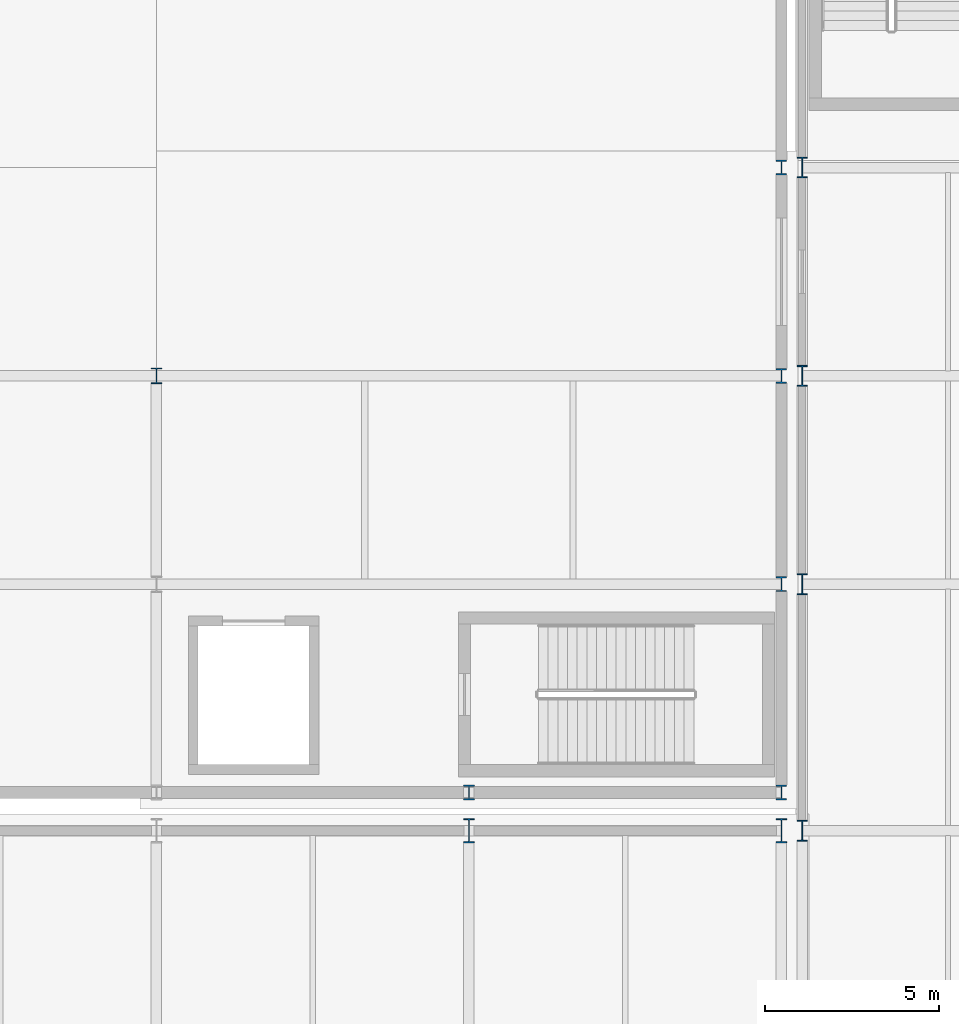
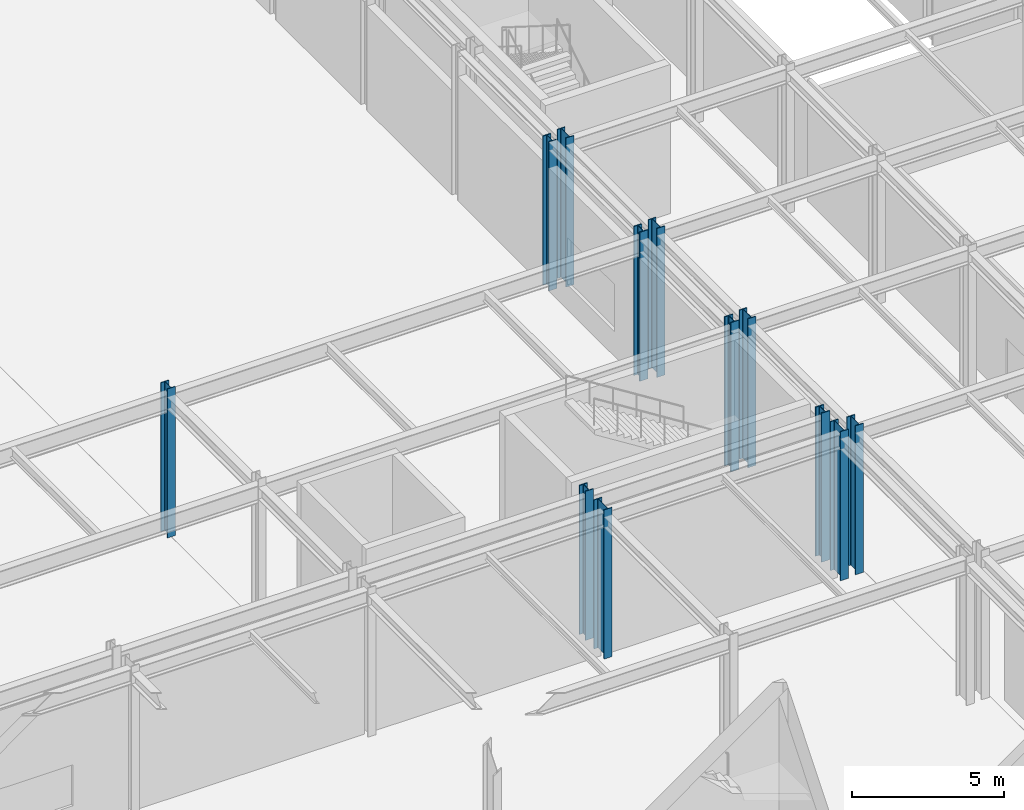
# One storey, part 8 of 146: 12 columns.
"""IFC4 building model written with IfcOpenShell, lengths in metres."""

from ifc_helpers import new_model, si_unit, direction, frame, origin, origin_2d, place, context, subcontext, project, spatial, i_section, extrude, material, material_profile, profile_set, type_object, element, save


model = new_model("IFC4")

# Units and contexts
model_context = context("Model", 3, precision=1e-05, world=origin(), true_north=direction((0.0, 1.0)))
body_context = subcontext(model_context, "Body", "Model", "MODEL_VIEW")
ifc_project = project(units=[si_unit("LENGTHUNIT", "METRE"), si_unit("AREAUNIT", "SQUARE_METRE"), si_unit("VOLUMEUNIT", "CUBIC_METRE"), si_unit("PLANEANGLEUNIT", "RADIAN"), si_unit("MASSUNIT", "GRAM", prefix="KILO")], contexts=[model_context])

# Site, building, storey
site_placement = place(None, origin())
site = spatial("IfcSite", under=ifc_project, at=site_placement, CompositionType="ELEMENT")
building_placement = place(site_placement, origin())
building = spatial("IfcBuilding", under=site, at=building_placement, Name="Kaldris Quays Convention Centre", CompositionType="ELEMENT")
storey_placement = place(building_placement, origin())
storey = spatial("IfcBuildingStorey", under=building, at=storey_placement, Name="L00", CompositionType="ELEMENT", Elevation=0.0)

# Columns
ifc_material_1 = material(Name="Steel S460ML", Category="steel")
ifc_material_profile_1 = material_profile(ifc_material_1, i_section(OverallWidth=0.306884765625, OverallDepth=0.431884765625, WebThickness=0.02099609375, FlangeThickness=0.0400390625, FilletRadius=0.027099609375, at=origin_2d()), Name="HEM 400")
ifc_profile_set_1 = profile_set([ifc_material_profile_1], Name="Steel S460ML")
column_type_1 = type_object("IfcColumnType", Name="STRUCTURAL COLUMN CL01", PredefinedType="COLUMN", material=ifc_profile_set_1)
for number, where, z_axis, x_axis, name in (
    (1, (137.0, 56.0, 0.0), (0.0, 0.0, 1.0), (1.0, 0.0, 0.0), "L00 V1 Column CL01 (137.00, 56.00)"),
    (2, (146.0, 56.0, 0.0), (0.0, 0.0, 1.0), (1.0, 0.0, 0.0), "L00 V1 Column CL01 (146.00, 56.00)"),
    (3, (146.0, 62.0, 0.0), (0.0, 0.0, 1.0), (1.0, 0.0, 0.0), "L00 V1 Column CL01 (146.00, 62.00)"),
    (4, (146.0, 68.0, 0.0), (0.0, 0.0, 1.0), (1.0, 0.0, 0.0), "L00 V1 Column CL01 (146.00, 68.00)"),
    (5, (146.0, 74.0, 0.0), (0.0, 0.0, 1.0), (1.0, 0.0, 0.0), "L00 V1 Column CL01 (146.00, 74.00)"),
):
    element("IfcColumn", number, at=place(storey_placement, frame(where, z_axis=z_axis, x_axis=x_axis)), inside=storey, type_object=column_type_1, Name=name, PredefinedType="COLUMN", context=body_context, shape_type="SweptSolid", body=[
        extrude(i_section(OverallWidth=0.306884765625, OverallDepth=0.431884765625, WebThickness=0.02099609375, FlangeThickness=0.0400390625, FilletRadius=0.027099609375, at=origin_2d()), origin(), (0.0, 0.0, 1.0), 6.0),
    ])
ifc_material_2 = material(Name="Steel S355J2", Category="steel")
ifc_material_profile_2 = material_profile(ifc_material_2, i_section(OverallWidth=0.300048828125, OverallDepth=0.699951171875, WebThickness=0.01708984375, FlangeThickness=0.031982421875, FilletRadius=0.027099609375, at=origin_2d()), Name="HEB 700")
ifc_profile_set_2 = profile_set([ifc_material_profile_2], Name="Steel S355J2")
column_type_2 = type_object("IfcColumnType", Name="STRUCTURAL COLUMN CL05", PredefinedType="COLUMN", material=ifc_profile_set_2)
for number, where, z_axis, x_axis, name in (
    (6, (137.0, 54.89990234375, 0.0), (0.0, 0.0, 1.0), (1.0, 0.0, 0.0), "L00 V4 Column CL05 (137.00, 54.90)"),
    (7, (146.0, 54.89990234375, 0.0), (0.0, 0.0, 1.0), (1.0, 0.0, 0.0), "L00 V4 Column CL05 (146.00, 54.90)"),
):
    element("IfcColumn", number, at=place(storey_placement, frame(where, z_axis=z_axis, x_axis=x_axis)), inside=storey, type_object=column_type_2, Name=name, PredefinedType="COLUMN", context=body_context, shape_type="SweptSolid", body=[
        extrude(i_section(OverallWidth=0.300048828125, OverallDepth=0.699951171875, WebThickness=0.01708984375, FlangeThickness=0.031982421875, FilletRadius=0.027099609375, at=origin_2d()), origin(), (0.0, 0.0, 1.0), 6.0),
    ])
ifc_material_profile_3 = material_profile(ifc_material_2, i_section(OverallWidth=0.300048828125, OverallDepth=0.60009765625, WebThickness=0.015380859375, FlangeThickness=0.030029296875, FilletRadius=0.027099609375, at=origin_2d()), Name="HEB 600")
ifc_profile_set_3 = profile_set([ifc_material_profile_3], Name="Steel S355J2")
column_type_3 = type_object("IfcColumnType", Name="STRUCTURAL COLUMN CL06", PredefinedType="COLUMN", material=ifc_profile_set_3)
for number, where, z_axis, x_axis, name in (
    (8, (146.60009765625, 54.89990234375, 0.0), (0.0, 0.0, 1.0), (1.0, 0.0, 0.0), "L00 V4 Column CL06 (146.60, 54.90)"),
    (9, (146.60009765625, 62.0, 0.0), (0.0, 0.0, 1.0), (1.0, 0.0, 0.0), "L00 V4 Column CL06 (146.60, 62.00)"),
    (10, (146.60009765625, 68.0, 0.0), (0.0, 0.0, 1.0), (1.0, 0.0, 0.0), "L00 V4 Column CL06 (146.60, 68.00)"),
    (11, (146.60009765625, 74.0, 0.0), (0.0, 0.0, 1.0), (1.0, 0.0, 0.0), "L00 V4 Column CL06 (146.60, 74.00)"),
):
    element("IfcColumn", number, at=place(storey_placement, frame(where, z_axis=z_axis, x_axis=x_axis)), inside=storey, type_object=column_type_3, Name=name, PredefinedType="COLUMN", context=body_context, shape_type="SweptSolid", body=[
        extrude(i_section(OverallWidth=0.300048828125, OverallDepth=0.60009765625, WebThickness=0.015380859375, FlangeThickness=0.030029296875, FilletRadius=0.027099609375, at=origin_2d()), origin(), (0.0, 0.0, 1.0), 6.0),
    ])
ifc_material_profile_4 = material_profile(ifc_material_2, i_section(OverallWidth=0.300048828125, OverallDepth=0.449951171875, WebThickness=0.013916015625, FlangeThickness=0.02587890625, FilletRadius=0.027099609375, at=origin_2d()), Name="HEB 450")
ifc_profile_set_4 = profile_set([ifc_material_profile_4], Name="Steel S355J2")
column_type_4 = type_object("IfcColumnType", Name="STRUCTURAL COLUMN CL08", PredefinedType="COLUMN", material=ifc_profile_set_4)
column_placement = place(storey_placement, frame((128.0, 68.0, 0.0), z_axis=(0.0, 0.0, 1.0), x_axis=(1.0, 0.0, 0.0)))
element("IfcColumn", 12, at=column_placement, inside=storey, type_object=column_type_4, Name="L00 V1 Column CL08 (128.00, 68.00)", PredefinedType="COLUMN", context=body_context, shape_type="SweptSolid", body=[
    extrude(i_section(OverallWidth=0.300048828125, OverallDepth=0.449951171875, WebThickness=0.013916015625, FlangeThickness=0.02587890625, FilletRadius=0.027099609375, at=origin_2d()), origin(), (0.0, 0.0, 1.0), 6.0),
])

save(model, "model.ifc")
